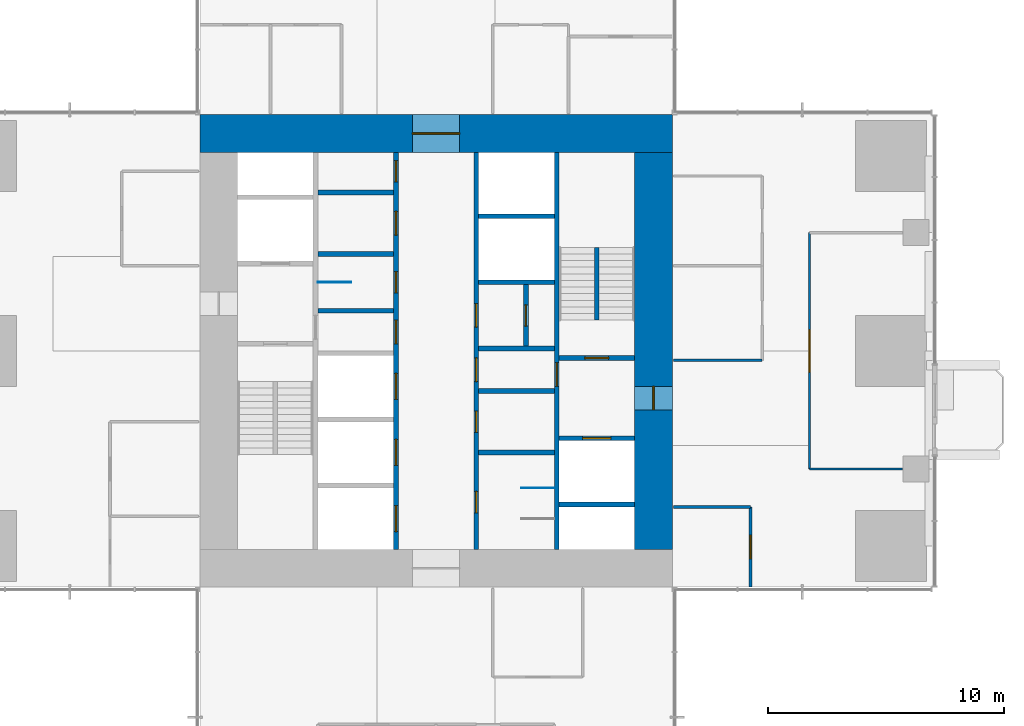
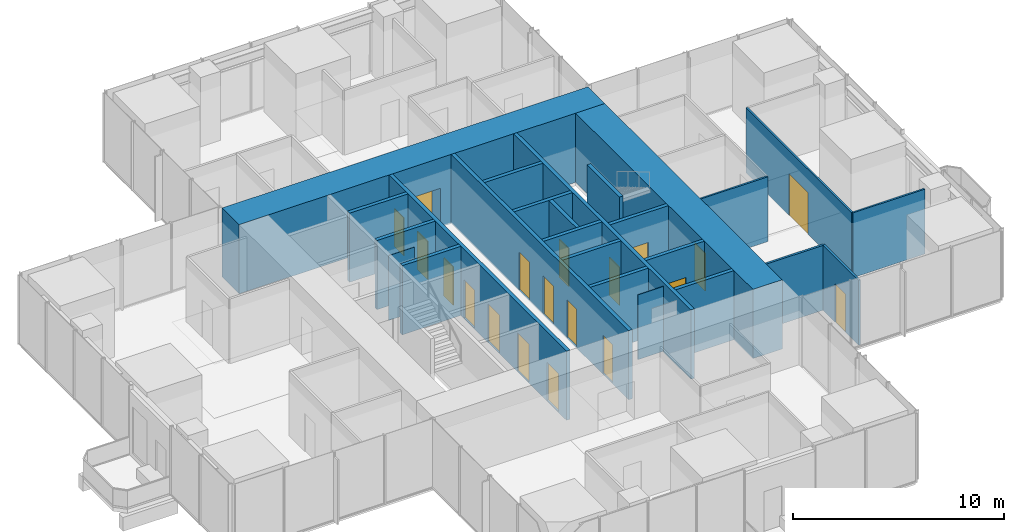
# One storey, part 9 of 13: 25 walls, 19 doors, 19 openings.
"""IFC4 building model written with IfcOpenShell, lengths in metres."""

from ifc_helpers import new_model, si_unit, direction, frame, frame_2d, origin, place, context, subcontext, project, spatial, rectangle, extrude, material, layer, layer_set, type_object, element, fill, save


model = new_model("IFC4")

# Units and contexts
model_context = context("Model", 3, precision=1e-05, world=origin(), true_north=direction((0.0, 1.0)))
body_context = subcontext(model_context, "Body", "Model", "MODEL_VIEW")
ifc_project = project(units=[si_unit("LENGTHUNIT", "METRE"), si_unit("AREAUNIT", "SQUARE_METRE"), si_unit("VOLUMEUNIT", "CUBIC_METRE"), si_unit("PLANEANGLEUNIT", "RADIAN"), si_unit("MASSUNIT", "GRAM", prefix="KILO")], contexts=[model_context])

# Site, building, storey
site_placement = place(None, origin())
site = spatial("IfcSite", under=ifc_project, at=site_placement, CompositionType="ELEMENT")
building_placement = place(site_placement, origin())
building = spatial("IfcBuilding", under=site, at=building_placement, Name="Svetlomir Tower", CompositionType="ELEMENT")
storey_placement = place(building_placement, frame((0.0, 0.0, 152.5)))
storey = spatial("IfcBuildingStorey", under=building, at=storey_placement, Name="L36", CompositionType="ELEMENT", Elevation=152.5)

# Wall, openings, doors
ifc_material_1 = material(Name="Concrete C60/75", Category="concrete")
ifc_layer_1 = layer(ifc_material_1, 0.199951171875)
ifc_layer_set_1 = layer_set([ifc_layer_1], Name="Concrete C60/75")
wall_type_1 = type_object("IfcWallType", Name="CORE INNER WALL 200", PredefinedType="SHEAR", material=ifc_layer_set_1)
wall_1_placement = place(storey_placement, frame((19.300048828125, 12.60009765625, -0.050048828125), z_axis=(0.0, 0.0, 1.0), x_axis=(0.0, 1.0, 0.0)))
wall_1 = element("IfcWall", 1, at=wall_1_placement, inside=storey, type_object=wall_type_1, Name="Core inner wall 19.3 L36", PredefinedType="SHEAR", context=body_context, shape_type="SweptSolid", body=[
    extrude(rectangle(XDim=16.7998046875, YDim=0.199951171875, at=frame_2d((8.39990234375, 0.0))), origin(), (0.0, 0.0, 1.0), 4.0),
])
opening_1_placement = place(wall_1_placement, frame((8.699951171875, 0.0, 0.050048828125)))
opening_1 = element("IfcOpeningElement", 2, at=opening_1_placement, cuts=wall_1, Name="Opening DC", PredefinedType="OPENING", context=body_context, shape_type="SweptSolid", body=[
    extrude(rectangle(XDim=1.0, YDim=2.199951171875, at=frame_2d((0.5, 1.10009765625))), frame((0.0, 0.10986328125, 0.0), z_axis=(0.0, -1.0, 0.0), x_axis=(1.0, 0.0, 0.0)), (0.0, 0.0, 1.0), 0.219970703125),
])
opening_2_placement = place(wall_1_placement, frame((10.85009765625, 0.0, 0.050048828125)))
opening_2 = element("IfcOpeningElement", 3, at=opening_2_placement, cuts=wall_1, Name="Opening DW", PredefinedType="OPENING", context=body_context, shape_type="SweptSolid", body=[
    extrude(rectangle(XDim=0.89990234375, YDim=2.199951171875, at=frame_2d((0.449951171875, 1.10009765625))), frame((0.0, 0.10986328125, 0.0), z_axis=(0.0, -1.0, 0.0), x_axis=(1.0, 0.0, 0.0)), (0.0, 0.0, 1.0), 0.219970703125),
])
opening_3_placement = place(wall_1_placement, frame((13.300048828125, 0.0, 0.050048828125)))
opening_3 = element("IfcOpeningElement", 4, at=opening_3_placement, cuts=wall_1, Name="Opening DC", PredefinedType="OPENING", context=body_context, shape_type="SweptSolid", body=[
    extrude(rectangle(XDim=1.0, YDim=2.199951171875, at=frame_2d((0.5, 1.10009765625))), frame((0.0, 0.10986328125, 0.0), z_axis=(0.0, -1.0, 0.0), x_axis=(1.0, 0.0, 0.0)), (0.0, 0.0, 1.0), 0.219970703125),
])
opening_4_placement = place(wall_1_placement, frame((15.550048828125, 0.0, 0.050048828125)))
opening_4 = element("IfcOpeningElement", 5, at=opening_4_placement, cuts=wall_1, Name="Opening DW", PredefinedType="OPENING", context=body_context, shape_type="SweptSolid", body=[
    extrude(rectangle(XDim=0.89990234375, YDim=2.199951171875, at=frame_2d((0.449951171875, 1.10009765625))), frame((0.0, 0.10986328125, 0.0), z_axis=(0.0, -1.0, 0.0), x_axis=(1.0, 0.0, 0.0)), (0.0, 0.0, 1.0), 0.219970703125),
])
opening_5_placement = place(wall_1_placement, frame((0.75, 0.0, 0.050048828125)))
opening_5 = element("IfcOpeningElement", 6, at=opening_5_placement, cuts=wall_1, Name="Opening LD", PredefinedType="OPENING", context=body_context, shape_type="SweptSolid", body=[
    extrude(rectangle(XDim=1.10009765625, YDim=2.199951171875, at=frame_2d((0.550048828125, 1.10009765625))), frame((0.0, 0.10986328125, 0.0), z_axis=(0.0, -1.0, 0.0), x_axis=(1.0, 0.0, 0.0)), (0.0, 0.0, 1.0), 0.219970703125),
])
opening_6_placement = place(wall_1_placement, frame((3.550048828125, 0.0, 0.050048828125)))
opening_6 = element("IfcOpeningElement", 7, at=opening_6_placement, cuts=wall_1, Name="Opening LD", PredefinedType="OPENING", context=body_context, shape_type="SweptSolid", body=[
    extrude(rectangle(XDim=1.10009765625, YDim=2.199951171875, at=frame_2d((0.550048828125, 1.10009765625))), frame((0.0, 0.10986328125, 0.0), z_axis=(0.0, -1.0, 0.0), x_axis=(1.0, 0.0, 0.0)), (0.0, 0.0, 1.0), 0.219970703125),
])
opening_7_placement = place(wall_1_placement, frame((6.35009765625, 0.0, 0.050048828125)))
opening_7 = element("IfcOpeningElement", 8, at=opening_7_placement, cuts=wall_1, Name="Opening LD", PredefinedType="OPENING", context=body_context, shape_type="SweptSolid", body=[
    extrude(rectangle(XDim=1.10009765625, YDim=2.199951171875, at=frame_2d((0.550048828125, 1.10009765625))), frame((0.0, 0.10986328125, 0.0), z_axis=(0.0, -1.0, 0.0), x_axis=(1.0, 0.0, 0.0)), (0.0, 0.0, 1.0), 0.219970703125),
])
ifc_material_2 = material(Name="Timber fire door", Category="wood")
door_type_1 = type_object("IfcDoorType", Name="DOOR DC 1000x2200", OperationType="SINGLE_SWING_LEFT", PredefinedType="DOOR", material=ifc_material_2)
door_1_placement = place(opening_1_placement, origin())
door_1 = element("IfcDoor", 9, at=door_1_placement, inside=storey, type_object=door_type_1, Name="Core corridor west lobby door L36", OperationType="SINGLE_SWING_LEFT", OverallHeight=2.199951171875, OverallWidth=1.0, PredefinedType="DOOR", context=body_context, shape_type="SweptSolid", body=[
    extrude(rectangle(XDim=1.0, YDim=2.199951171875, at=frame_2d((0.5, 1.10009765625))), frame((0.0, 0.02490234375, 0.0), z_axis=(0.0, -1.0, 0.0), x_axis=(1.0, 0.0, 0.0)), (0.0, 0.0, 1.0), 0.050048828125),
])
fill(opening_1, door_1)
door_2_placement = place(opening_3_placement, origin())
door_2 = element("IfcDoor", 10, at=door_2_placement, inside=storey, type_object=door_type_1, Name="Accessible WC door L36", OperationType="SINGLE_SWING_RIGHT", OverallHeight=2.199951171875, OverallWidth=1.0, PredefinedType="DOOR", context=body_context, shape_type="SweptSolid", body=[
    extrude(rectangle(XDim=1.0, YDim=2.199951171875, at=frame_2d((0.5, 1.10009765625))), frame((0.0, 0.02490234375, 0.0), z_axis=(0.0, -1.0, 0.0), x_axis=(1.0, 0.0, 0.0)), (0.0, 0.0, 1.0), 0.050048828125),
])
fill(opening_3, door_2)
ifc_material_3 = material(Name="Timber fire door", Category="wood")
door_type_2 = type_object("IfcDoorType", Name="DOOR DW 900x2200", OperationType="SINGLE_SWING_LEFT", PredefinedType="DOOR", material=ifc_material_3)
door_3_placement = place(opening_2_placement, origin())
door_3 = element("IfcDoor", 11, at=door_3_placement, inside=storey, type_object=door_type_2, Name="Female WC door L36", OperationType="SINGLE_SWING_LEFT", OverallHeight=2.199951171875, OverallWidth=0.89990234375, PredefinedType="DOOR", context=body_context, shape_type="SweptSolid", body=[
    extrude(rectangle(XDim=0.89990234375, YDim=2.199951171875, at=frame_2d((0.449951171875, 1.10009765625))), frame((0.0, 0.02490234375, 0.0), z_axis=(0.0, -1.0, 0.0), x_axis=(1.0, 0.0, 0.0)), (0.0, 0.0, 1.0), 0.050048828125),
])
fill(opening_2, door_3)
door_4_placement = place(opening_4_placement, origin())
door_4 = element("IfcDoor", 12, at=door_4_placement, inside=storey, type_object=door_type_2, Name="Cleaner's store door L36", OperationType="SINGLE_SWING_LEFT", OverallHeight=2.199951171875, OverallWidth=0.89990234375, PredefinedType="DOOR", context=body_context, shape_type="SweptSolid", body=[
    extrude(rectangle(XDim=0.89990234375, YDim=2.199951171875, at=frame_2d((0.449951171875, 1.10009765625))), frame((0.0, 0.02490234375, 0.0), z_axis=(0.0, -1.0, 0.0), x_axis=(1.0, 0.0, 0.0)), (0.0, 0.0, 1.0), 0.050048828125),
])
fill(opening_4, door_4)
ifc_material_4 = material(Name="Stainless steel landing door", Category="steel")
door_type_3 = type_object("IfcDoorType", Name="LIFT LANDING DOOR LD 1100x2200", OperationType="DOUBLE_DOOR_SLIDING", PredefinedType="DOOR", material=ifc_material_4)
door_5_placement = place(opening_5_placement, origin())
door_5 = element("IfcDoor", 13, at=door_5_placement, inside=storey, type_object=door_type_3, Name="Landing door lift LB1 L36", OperationType="DOUBLE_DOOR_SLIDING", OverallHeight=2.199951171875, OverallWidth=1.10009765625, PredefinedType="DOOR", context=body_context, shape_type="SweptSolid", body=[
    extrude(rectangle(XDim=1.10009765625, YDim=2.199951171875, at=frame_2d((0.550048828125, 1.10009765625))), frame((0.0, 0.02490234375, 0.0), z_axis=(0.0, -1.0, 0.0), x_axis=(1.0, 0.0, 0.0)), (0.0, 0.0, 1.0), 0.050048828125),
])
fill(opening_5, door_5)
door_6_placement = place(opening_6_placement, origin())
door_6 = element("IfcDoor", 14, at=door_6_placement, inside=storey, type_object=door_type_3, Name="Landing door lift LB2 L36", OperationType="DOUBLE_DOOR_SLIDING", OverallHeight=2.199951171875, OverallWidth=1.10009765625, PredefinedType="DOOR", context=body_context, shape_type="SweptSolid", body=[
    extrude(rectangle(XDim=1.10009765625, YDim=2.199951171875, at=frame_2d((0.550048828125, 1.10009765625))), frame((0.0, 0.02490234375, 0.0), z_axis=(0.0, -1.0, 0.0), x_axis=(1.0, 0.0, 0.0)), (0.0, 0.0, 1.0), 0.050048828125),
])
fill(opening_6, door_6)
door_7_placement = place(opening_7_placement, origin())
door_7 = element("IfcDoor", 15, at=door_7_placement, inside=storey, type_object=door_type_3, Name="Landing door lift LB3 L36", OperationType="DOUBLE_DOOR_SLIDING", OverallHeight=2.199951171875, OverallWidth=1.10009765625, PredefinedType="DOOR", context=body_context, shape_type="SweptSolid", body=[
    extrude(rectangle(XDim=1.10009765625, YDim=2.199951171875, at=frame_2d((0.550048828125, 1.10009765625))), frame((0.0, 0.02490234375, 0.0), z_axis=(0.0, -1.0, 0.0), x_axis=(1.0, 0.0, 0.0)), (0.0, 0.0, 1.0), 0.050048828125),
])
fill(opening_7, door_7)

wall_2_placement = place(storey_placement, frame((22.699951171875, 12.60009765625, -0.050048828125), z_axis=(0.0, 0.0, 1.0), x_axis=(0.0, 1.0, 0.0)))
wall_2 = element("IfcWall", 16, at=wall_2_placement, inside=storey, type_object=wall_type_1, Name="Core inner wall 22.7 L36", PredefinedType="SHEAR", context=body_context, shape_type="SweptSolid", body=[
    extrude(rectangle(XDim=16.7998046875, YDim=0.199951171875, at=frame_2d((8.39990234375, 0.0))), origin(), (0.0, 0.0, 1.0), 4.0),
])
opening_8_placement = place(wall_2_placement, frame((7.10009765625, 0.0, 0.050048828125)))
opening_8 = element("IfcOpeningElement", 17, at=opening_8_placement, cuts=wall_2, Name="Opening DC", PredefinedType="OPENING", context=body_context, shape_type="SweptSolid", body=[
    extrude(rectangle(XDim=1.0, YDim=2.199951171875, at=frame_2d((0.5, 1.10009765625))), frame((0.0, 0.10986328125, 0.0), z_axis=(0.0, -1.0, 0.0), x_axis=(1.0, 0.0, 0.0)), (0.0, 0.0, 1.0), 0.219970703125),
])
opening_9_placement = place(wall_2_placement, frame((1.550048828125, 0.0, 0.050048828125)))
opening_9 = element("IfcOpeningElement", 18, at=opening_9_placement, cuts=wall_2, Name="Opening DW", PredefinedType="OPENING", context=body_context, shape_type="SweptSolid", body=[
    extrude(rectangle(XDim=0.89990234375, YDim=2.199951171875, at=frame_2d((0.449951171875, 1.10009765625))), frame((0.0, 0.10986328125, 0.0), z_axis=(0.0, -1.0, 0.0), x_axis=(1.0, 0.0, 0.0)), (0.0, 0.0, 1.0), 0.219970703125),
])
opening_10_placement = place(wall_2_placement, frame((4.949951171875, 0.0, 0.050048828125)))
opening_10 = element("IfcOpeningElement", 19, at=opening_10_placement, cuts=wall_2, Name="Opening DW", PredefinedType="OPENING", context=body_context, shape_type="SweptSolid", body=[
    extrude(rectangle(XDim=0.89990234375, YDim=2.199951171875, at=frame_2d((0.449951171875, 1.10009765625))), frame((0.0, 0.10986328125, 0.0), z_axis=(0.0, -1.0, 0.0), x_axis=(1.0, 0.0, 0.0)), (0.0, 0.0, 1.0), 0.219970703125),
])
opening_11_placement = place(wall_2_placement, frame((9.39990234375, 0.0, 0.050048828125)))
opening_11 = element("IfcOpeningElement", 20, at=opening_11_placement, cuts=wall_2, Name="Opening DC", PredefinedType="OPENING", context=body_context, shape_type="SweptSolid", body=[
    extrude(rectangle(XDim=1.0, YDim=2.199951171875, at=frame_2d((0.5, 1.10009765625))), frame((0.0, 0.10986328125, 0.0), z_axis=(0.0, -1.0, 0.0), x_axis=(1.0, 0.0, 0.0)), (0.0, 0.0, 1.0), 0.219970703125),
])
door_8_placement = place(opening_8_placement, origin())
door_8 = element("IfcDoor", 21, at=door_8_placement, inside=storey, type_object=door_type_1, Name="Core corridor east lobby door L36", OperationType="SINGLE_SWING_RIGHT", OverallHeight=2.199951171875, OverallWidth=1.0, PredefinedType="DOOR", context=body_context, shape_type="SweptSolid", body=[
    extrude(rectangle(XDim=1.0, YDim=2.199951171875, at=frame_2d((0.5, 1.10009765625))), frame((0.0, 0.02490234375, 0.0), z_axis=(0.0, -1.0, 0.0), x_axis=(1.0, 0.0, 0.0)), (0.0, 0.0, 1.0), 0.050048828125),
])
fill(opening_8, door_8)
door_9_placement = place(opening_11_placement, origin())
door_9 = element("IfcDoor", 22, at=door_9_placement, inside=storey, type_object=door_type_1, Name="Converted shaft BANK-E1 room door L36", OperationType="SINGLE_SWING_RIGHT", OverallHeight=2.199951171875, OverallWidth=1.0, PredefinedType="DOOR", context=body_context, shape_type="SweptSolid", body=[
    extrude(rectangle(XDim=1.0, YDim=2.199951171875, at=frame_2d((0.5, 1.10009765625))), frame((0.0, 0.02490234375, 0.0), z_axis=(0.0, -1.0, 0.0), x_axis=(1.0, 0.0, 0.0)), (0.0, 0.0, 1.0), 0.050048828125),
])
fill(opening_11, door_9)
door_10_placement = place(opening_9_placement, origin())
door_10 = element("IfcDoor", 23, at=door_10_placement, inside=storey, type_object=door_type_2, Name="Male WC door L36", OperationType="SINGLE_SWING_RIGHT", OverallHeight=2.199951171875, OverallWidth=0.89990234375, PredefinedType="DOOR", context=body_context, shape_type="SweptSolid", body=[
    extrude(rectangle(XDim=0.89990234375, YDim=2.199951171875, at=frame_2d((0.449951171875, 1.10009765625))), frame((0.0, 0.02490234375, 0.0), z_axis=(0.0, -1.0, 0.0), x_axis=(1.0, 0.0, 0.0)), (0.0, 0.0, 1.0), 0.050048828125),
])
fill(opening_9, door_10)
door_11_placement = place(opening_10_placement, origin())
door_11 = element("IfcDoor", 24, at=door_11_placement, inside=storey, type_object=door_type_2, Name="Comms room door L36", OperationType="SINGLE_SWING_LEFT", OverallHeight=2.199951171875, OverallWidth=0.89990234375, PredefinedType="DOOR", context=body_context, shape_type="SweptSolid", body=[
    extrude(rectangle(XDim=0.89990234375, YDim=2.199951171875, at=frame_2d((0.449951171875, 1.10009765625))), frame((0.0, 0.02490234375, 0.0), z_axis=(0.0, -1.0, 0.0), x_axis=(1.0, 0.0, 0.0)), (0.0, 0.0, 1.0), 0.050048828125),
])
fill(opening_10, door_11)

# Wall, opening, door
wall_3_placement = place(storey_placement, frame((26.10009765625, 12.60009765625, -0.050048828125), z_axis=(0.0, 0.0, 1.0), x_axis=(0.0, 1.0, 0.0)))
wall_3 = element("IfcWall", 25, at=wall_3_placement, inside=storey, type_object=wall_type_1, Name="Core inner wall 26.1 L36", PredefinedType="SHEAR", context=body_context, shape_type="SweptSolid", body=[
    extrude(rectangle(XDim=16.7998046875, YDim=0.199951171875, at=frame_2d((8.39990234375, 0.0))), origin(), (0.0, 0.0, 1.0), 4.0),
])
opening_12_placement = place(wall_3_placement, frame((6.89990234375, 0.0, 0.050048828125)))
opening_12 = element("IfcOpeningElement", 26, at=opening_12_placement, cuts=wall_3, Name="Opening DF", PredefinedType="OPENING", context=body_context, shape_type="SweptSolid", body=[
    extrude(rectangle(XDim=1.0, YDim=2.199951171875, at=frame_2d((0.5, 1.10009765625))), frame((0.0, 0.10986328125, 0.0), z_axis=(0.0, -1.0, 0.0), x_axis=(1.0, 0.0, 0.0)), (0.0, 0.0, 1.0), 0.219970703125),
])
ifc_material_5 = material(Name="Steel fire door", Category="steel")
door_type_4 = type_object("IfcDoorType", Name="DOOR DF 1000x2200", OperationType="SINGLE_SWING_LEFT", PredefinedType="DOOR", material=ifc_material_5)
door_12_placement = place(opening_12_placement, origin())
door_12 = element("IfcDoor", 27, at=door_12_placement, inside=storey, type_object=door_type_4, Name="Core corridor east door L36", OperationType="SINGLE_SWING_LEFT", OverallHeight=2.199951171875, OverallWidth=1.0, PredefinedType="DOOR", context=body_context, shape_type="SweptSolid", body=[
    extrude(rectangle(XDim=1.0, YDim=2.199951171875, at=frame_2d((0.5, 1.10009765625))), frame((0.0, 0.02490234375, 0.0), z_axis=(0.0, -1.0, 0.0), x_axis=(1.0, 0.0, 0.0)), (0.0, 0.0, 1.0), 0.050048828125),
])
fill(opening_12, door_12)

# Walls
for number, where, z_axis, x_axis, name in (
    (28, (16.0, 22.699951171875, -0.050048828125), (0.0, 0.0, 1.0), (1.0, 0.0, 0.0), "Core inner wall 16-19.2/22.7 L36"),
    (29, (16.0, 25.10009765625, -0.050048828125), (0.0, 0.0, 1.0), (1.0, 0.0, 0.0), "Core inner wall 16-19.2/25.1 L36"),
    (30, (16.0, 27.699951171875, -0.050048828125), (0.0, 0.0, 1.0), (1.0, 0.0, 0.0), "Core inner wall 16-19.2/27.7 L36"),
    (31, (22.800048828125, 16.699951171875, -0.050048828125), (0.0, 0.0, 1.0), (1.0, 0.0, 0.0), "Core inner wall 22.8-26/16.7 L36"),
    (32, (22.800048828125, 19.300048828125, -0.050048828125), (0.0, 0.0, 1.0), (1.0, 0.0, 0.0), "Core inner wall 22.8-26/19.3 L36"),
    (33, (22.800048828125, 21.10009765625, -0.050048828125), (0.0, 0.0, 1.0), (1.0, 0.0, 0.0), "Core inner wall 22.8-26/21.1 L36"),
    (34, (22.800048828125, 23.89990234375, -0.050048828125), (0.0, 0.0, 1.0), (1.0, 0.0, 0.0), "Core inner wall 22.8-26/23.9 L36"),
    (35, (22.800048828125, 26.699951171875, -0.050048828125), (0.0, 0.0, 1.0), (1.0, 0.0, 0.0), "Core inner wall 22.8-26/26.7 L36"),
    (36, (26.199951171875, 14.5, -0.050048828125), (0.0, 0.0, 1.0), (1.0, 0.0, 0.0), "Core inner wall 26.2-29.4/14.5 L36"),
):
    element("IfcWall", number, at=place(storey_placement, frame(where, z_axis=z_axis, x_axis=x_axis)), inside=storey, type_object=wall_type_1, Name=name, PredefinedType="SHEAR", context=body_context, shape_type="SweptSolid", body=[
        extrude(rectangle(XDim=3.199951171875, YDim=0.199951171875, at=frame_2d((1.60009765625, 0.0))), origin(), (0.0, 0.0, 1.0), 4.0),
    ])

# Wall, opening, door
wall_4_placement = place(storey_placement, frame((26.199951171875, 17.300048828125, -0.050048828125), z_axis=(0.0, 0.0, 1.0), x_axis=(1.0, 0.0, 0.0)))
wall_4 = element("IfcWall", 37, at=wall_4_placement, inside=storey, type_object=wall_type_1, Name="Core inner wall 26.2-29.4/17.3 L36", PredefinedType="SHEAR", context=body_context, shape_type="SweptSolid", body=[
    extrude(rectangle(XDim=3.199951171875, YDim=0.199951171875, at=frame_2d((1.60009765625, 0.0))), origin(), (0.0, 0.0, 1.0), 4.0),
])
opening_13_placement = place(wall_4_placement, frame((1.0, 0.0, 0.050048828125)))
opening_13 = element("IfcOpeningElement", 38, at=opening_13_placement, cuts=wall_4, Name="Opening LD3", PredefinedType="OPENING", context=body_context, shape_type="SweptSolid", body=[
    extrude(rectangle(XDim=1.199951171875, YDim=2.199951171875, at=frame_2d((0.60009765625, 1.10009765625))), frame((0.0, 0.10986328125, 0.0), z_axis=(0.0, -1.0, 0.0), x_axis=(1.0, 0.0, 0.0)), (0.0, 0.0, 1.0), 0.219970703125),
])
ifc_material_6 = material(Name="Stainless steel fire-rated landing door", Category="steel")
door_type_5 = type_object("IfcDoorType", Name="FIREFIGHTING LIFT LANDING DOOR LD3 1200x2200", OperationType="DOUBLE_DOOR_SLIDING", PredefinedType="DOOR", material=ifc_material_6)
door_13_placement = place(opening_13_placement, origin())
door_13 = element("IfcDoor", 39, at=door_13_placement, inside=storey, type_object=door_type_5, Name="Landing door lift FL2 L36", OperationType="DOUBLE_DOOR_SLIDING", OverallHeight=2.199951171875, OverallWidth=1.199951171875, PredefinedType="DOOR", context=body_context, shape_type="SweptSolid", body=[
    extrude(rectangle(XDim=1.199951171875, YDim=2.199951171875, at=frame_2d((0.60009765625, 1.10009765625))), frame((0.0, 0.02490234375, 0.0), z_axis=(0.0, -1.0, 0.0), x_axis=(1.0, 0.0, 0.0)), (0.0, 0.0, 1.0), 0.050048828125),
])
fill(opening_13, door_13)

wall_5_placement = place(storey_placement, frame((26.199951171875, 20.699951171875, -0.050048828125), z_axis=(0.0, 0.0, 1.0), x_axis=(1.0, 0.0, 0.0)))
wall_5 = element("IfcWall", 40, at=wall_5_placement, inside=storey, type_object=wall_type_1, Name="Core inner wall 26.2-29.4/20.7 L36", PredefinedType="SHEAR", context=body_context, shape_type="SweptSolid", body=[
    extrude(rectangle(XDim=3.199951171875, YDim=0.199951171875, at=frame_2d((1.60009765625, 0.0))), origin(), (0.0, 0.0, 1.0), 4.0),
])
opening_14_placement = place(wall_5_placement, frame((1.10009765625, 0.0, 0.050048828125)))
opening_14 = element("IfcOpeningElement", 41, at=opening_14_placement, cuts=wall_5, Name="Opening DF", PredefinedType="OPENING", context=body_context, shape_type="SweptSolid", body=[
    extrude(rectangle(XDim=1.0, YDim=2.199951171875, at=frame_2d((0.5, 1.10009765625))), frame((0.0, 0.10986328125, 0.0), z_axis=(0.0, -1.0, 0.0), x_axis=(1.0, 0.0, 0.0)), (0.0, 0.0, 1.0), 0.219970703125),
])
door_14_placement = place(opening_14_placement, origin())
door_14 = element("IfcDoor", 42, at=door_14_placement, inside=storey, type_object=door_type_4, Name="Stair S2 door L36", OperationType="SINGLE_SWING_RIGHT", OverallHeight=2.199951171875, OverallWidth=1.0, PredefinedType="DOOR", context=body_context, shape_type="SweptSolid", body=[
    extrude(rectangle(XDim=1.0, YDim=2.199951171875, at=frame_2d((0.5, 1.10009765625))), frame((0.0, 0.02490234375, 0.0), z_axis=(0.0, -1.0, 0.0), x_axis=(1.0, 0.0, 0.0)), (0.0, 0.0, 1.0), 0.050048828125),
])
fill(opening_14, door_14)

wall_6_placement = place(storey_placement, frame((24.800048828125, 21.199951171875, -0.050048828125), z_axis=(0.0, 0.0, 1.0), x_axis=(0.0, 1.0, 0.0)))
wall_6 = element("IfcWall", 43, at=wall_6_placement, inside=storey, type_object=wall_type_1, Name="Core inner wall 24.8/21.2-23.8 L36", PredefinedType="SHEAR", context=body_context, shape_type="SweptSolid", body=[
    extrude(rectangle(XDim=2.60009765625, YDim=0.199951171875, at=frame_2d((1.300048828125, 0.0))), origin(), (0.0, 0.0, 1.0), 4.0),
])
opening_15_placement = place(wall_6_placement, frame((0.85009765625, 0.0, 0.050048828125)))
opening_15 = element("IfcOpeningElement", 44, at=opening_15_placement, cuts=wall_6, Name="Opening DW", PredefinedType="OPENING", context=body_context, shape_type="SweptSolid", body=[
    extrude(rectangle(XDim=0.89990234375, YDim=2.199951171875, at=frame_2d((0.449951171875, 1.10009765625))), frame((0.0, 0.10986328125, 0.0), z_axis=(0.0, -1.0, 0.0), x_axis=(1.0, 0.0, 0.0)), (0.0, 0.0, 1.0), 0.219970703125),
])
door_15_placement = place(opening_15_placement, origin())
door_15 = element("IfcDoor", 45, at=door_15_placement, inside=storey, type_object=door_type_2, Name="Converted shaft BANK-E1 back room door L36", OperationType="SINGLE_SWING_LEFT", OverallHeight=2.199951171875, OverallWidth=0.89990234375, PredefinedType="DOOR", context=body_context, shape_type="SweptSolid", body=[
    extrude(rectangle(XDim=0.89990234375, YDim=2.199951171875, at=frame_2d((0.449951171875, 1.10009765625))), frame((0.0, 0.02490234375, 0.0), z_axis=(0.0, -1.0, 0.0), x_axis=(1.0, 0.0, 0.0)), (0.0, 0.0, 1.0), 0.050048828125),
])
fill(opening_15, door_15)

ifc_material_7 = material(Name="Concrete C60/75", Category="concrete")
ifc_layer_2 = layer(ifc_material_7, 1.60009765625)
ifc_layer_set_2 = layer_set([ifc_layer_2], Name="Concrete C60/75")
wall_type_2 = type_object("IfcWallType", Name="CORE WALL 1600", PredefinedType="SHEAR", material=ifc_layer_set_2)
wall_7_placement = place(storey_placement, frame((11.0, 30.199951171875, -0.050048828125), z_axis=(0.0, 0.0, 1.0), x_axis=(1.0, 0.0, 0.0)))
wall_7 = element("IfcWall", 46, at=wall_7_placement, inside=storey, type_object=wall_type_2, Name="Core wall north L36", PredefinedType="SHEAR", context=body_context, shape_type="SweptSolid", body=[
    extrude(rectangle(XDim=20.0, YDim=1.60009765625, at=frame_2d((10.0, 0.0))), origin(), (0.0, 0.0, 1.0), 4.0),
])
opening_16_placement = place(wall_7_placement, frame((9.0, 0.0, 0.050048828125)))
opening_16 = element("IfcOpeningElement", 47, at=opening_16_placement, cuts=wall_7, Name="Opening DL", PredefinedType="OPENING", context=body_context, shape_type="SweptSolid", body=[
    extrude(rectangle(XDim=2.0, YDim=2.199951171875, at=frame_2d((1.0, 1.10009765625))), frame((0.0, 0.81005859375, 0.0), z_axis=(0.0, -1.0, 0.0), x_axis=(1.0, 0.0, 0.0)), (0.0, 0.0, 1.0), 1.6201171875),
])
ifc_material_8 = material(Name="Steel fire door", Category="steel")
door_type_6 = type_object("IfcDoorType", Name="DOOR DL 2000x2200", OperationType="DOUBLE_DOOR_SINGLE_SWING", PredefinedType="DOOR", material=ifc_material_8)
door_16_placement = place(opening_16_placement, origin())
door_16 = element("IfcDoor", 48, at=door_16_placement, inside=storey, type_object=door_type_6, Name="Lift lobby north door L36", OperationType="DOUBLE_DOOR_SINGLE_SWING", OverallHeight=2.199951171875, OverallWidth=2.0, PredefinedType="DOOR", context=body_context, shape_type="SweptSolid", body=[
    extrude(rectangle(XDim=2.0, YDim=2.199951171875, at=frame_2d((1.0, 1.10009765625))), frame((0.0, 0.02490234375, 0.0), z_axis=(0.0, -1.0, 0.0), x_axis=(1.0, 0.0, 0.0)), (0.0, 0.0, 1.0), 0.050048828125),
])
fill(opening_16, door_16)

wall_8_placement = place(storey_placement, frame((30.199951171875, 12.60009765625, -0.050048828125), z_axis=(0.0, 0.0, 1.0), x_axis=(0.0, 1.0, 0.0)))
wall_8 = element("IfcWall", 49, at=wall_8_placement, inside=storey, type_object=wall_type_2, Name="Core wall east L36", PredefinedType="SHEAR", context=body_context, shape_type="SweptSolid", body=[
    extrude(rectangle(XDim=16.7998046875, YDim=1.60009765625, at=frame_2d((8.39990234375, 0.0))), origin(), (0.0, 0.0, 1.0), 4.0),
])
opening_17_placement = place(wall_8_placement, frame((5.89990234375, 0.0, 0.050048828125)))
opening_17 = element("IfcOpeningElement", 50, at=opening_17_placement, cuts=wall_8, Name="Opening DF", PredefinedType="OPENING", context=body_context, shape_type="SweptSolid", body=[
    extrude(rectangle(XDim=1.0, YDim=2.199951171875, at=frame_2d((0.5, 1.10009765625))), frame((0.0, 0.81005859375, 0.0), z_axis=(0.0, -1.0, 0.0), x_axis=(1.0, 0.0, 0.0)), (0.0, 0.0, 1.0), 1.6201171875),
])
door_17_placement = place(opening_17_placement, origin())
door_17 = element("IfcDoor", 51, at=door_17_placement, inside=storey, type_object=door_type_4, Name="Firefighting lobby east door L36", OperationType="SINGLE_SWING_RIGHT", OverallHeight=2.199951171875, OverallWidth=1.0, PredefinedType="DOOR", context=body_context, shape_type="SweptSolid", body=[
    extrude(rectangle(XDim=1.0, YDim=2.199951171875, at=frame_2d((0.5, 1.10009765625))), frame((0.0, 0.02490234375, 0.0), z_axis=(0.0, -1.0, 0.0), x_axis=(1.0, 0.0, 0.0)), (0.0, 0.0, 1.0), 0.050048828125),
])
fill(opening_17, door_17)

# Wall
ifc_material_9 = material(Name="Framed laminated glass partition", Category="glass")
ifc_layer_3 = layer(ifc_material_9, 0.10009765625)
ifc_layer_set_3 = layer_set([ifc_layer_3], Name="Framed laminated glass partition")
wall_type_3 = type_object("IfcWallType", Name="GLAZED PARTITION 100", PredefinedType="PARTITIONING", material=ifc_layer_set_3)
wall_9_placement = place(storey_placement, frame((31.050048828125, 20.60009765625, 0.0), z_axis=(0.0, 0.0, 1.0), x_axis=(1.0, 0.0, 0.0)))
element("IfcWall", 52, at=wall_9_placement, inside=storey, type_object=wall_type_3, Name="Glazed partition L36", PredefinedType="PARTITIONING", context=body_context, shape_type="SweptSolid", body=[
    extrude(rectangle(XDim=3.75, YDim=0.10009765625, at=frame_2d((1.875, 0.0))), origin(), (0.0, 0.0, 1.0), 3.75),
])

# Wall, opening, door
wall_10_placement = place(storey_placement, frame((36.800048828125, 16.0, 0.0), z_axis=(0.0, 0.0, 1.0), x_axis=(0.0, 1.0, 0.0)))
wall_10 = element("IfcWall", 53, at=wall_10_placement, inside=storey, type_object=wall_type_3, Name="Glazed partition L36", PredefinedType="PARTITIONING", context=body_context, shape_type="SweptSolid", body=[
    extrude(rectangle(XDim=10.0, YDim=0.10009765625, at=frame_2d((5.0, 0.0))), origin(), (0.0, 0.0, 1.0), 3.75),
])
opening_18_placement = place(wall_10_placement, frame((4.10009765625, 0.0, 0.0)))
opening_18 = element("IfcOpeningElement", 54, at=opening_18_placement, cuts=wall_10, Name="Opening DD", PredefinedType="OPENING", context=body_context, shape_type="SweptSolid", body=[
    extrude(rectangle(XDim=1.800048828125, YDim=2.39990234375, at=frame_2d((0.89990234375, 1.199951171875))), frame((0.0, 0.06005859375, 0.0), z_axis=(0.0, -1.0, 0.0), x_axis=(1.0, 0.0, 0.0)), (0.0, 0.0, 1.0), 0.1201171875),
])
ifc_material_10 = material(Name="Timber door", Category="wood")
door_type_7 = type_object("IfcDoorType", Name="DOOR DD 1800x2400", OperationType="DOUBLE_DOOR_SINGLE_SWING", PredefinedType="DOOR", material=ifc_material_10)
door_18_placement = place(opening_18_placement, origin())
door_18 = element("IfcDoor", 55, at=door_18_placement, inside=storey, type_object=door_type_7, Name="Press briefing room, 20 seats door L36", OperationType="DOUBLE_DOOR_SINGLE_SWING", OverallHeight=2.39990234375, OverallWidth=1.800048828125, PredefinedType="DOOR", context=body_context, shape_type="SweptSolid", body=[
    extrude(rectangle(XDim=1.800048828125, YDim=2.39990234375, at=frame_2d((0.89990234375, 1.199951171875))), frame((0.0, 0.02490234375, 0.0), z_axis=(0.0, -1.0, 0.0), x_axis=(1.0, 0.0, 0.0)), (0.0, 0.0, 1.0), 0.050048828125),
])
fill(opening_18, door_18)

# Walls
wall_11_placement = place(storey_placement, frame((36.800048828125, 16.0, 0.0), z_axis=(0.0, 0.0, 1.0), x_axis=(1.0, 0.0, 0.0)))
element("IfcWall", 56, at=wall_11_placement, inside=storey, type_object=wall_type_3, Name="Glazed partition L36", PredefinedType="PARTITIONING", context=body_context, shape_type="SweptSolid", body=[
    extrude(rectangle(XDim=3.93994140625, YDim=0.10009765625, at=frame_2d((1.969970703125, 0.0))), origin(), (0.0, 0.0, 1.0), 3.75),
])
ifc_material_11 = material(Name="Gypsum board on steel studs", Category="steel")
ifc_layer_4 = layer(ifc_material_11, 0.1201171875)
ifc_layer_set_4 = layer_set([ifc_layer_4], Name="Gypsum board on steel studs")
wall_type_4 = type_object("IfcWallType", Name="PARTITION 120", PredefinedType="PARTITIONING", material=ifc_layer_set_4)
wall_12_placement = place(storey_placement, frame((31.050048828125, 14.39990234375, 0.0), z_axis=(0.0, 0.0, 1.0), x_axis=(1.0, 0.0, 0.0)))
element("IfcWall", 57, at=wall_12_placement, inside=storey, type_object=wall_type_4, Name="Partition L36", PredefinedType="PARTITIONING", context=body_context, shape_type="SweptSolid", body=[
    extrude(rectangle(XDim=3.25, YDim=0.1201171875, at=frame_2d((1.625, 0.0))), origin(), (0.0, 0.0, 1.0), 3.75),
])

# Wall, opening, door
wall_13_placement = place(storey_placement, frame((34.300048828125, 11.0, 0.0), z_axis=(0.0, 0.0, 1.0), x_axis=(0.0, 1.0, 0.0)))
wall_13 = element("IfcWall", 58, at=wall_13_placement, inside=storey, type_object=wall_type_4, Name="Partition L36", PredefinedType="PARTITIONING", context=body_context, shape_type="SweptSolid", body=[
    extrude(rectangle(XDim=3.39990234375, YDim=0.1201171875, at=frame_2d((1.699951171875, 0.0))), origin(), (0.0, 0.0, 1.0), 3.75),
])
opening_19_placement = place(wall_13_placement, frame((1.199951171875, 0.0, 0.0)))
opening_19 = element("IfcOpeningElement", 59, at=opening_19_placement, cuts=wall_13, Name="Opening DR", PredefinedType="OPENING", context=body_context, shape_type="SweptSolid", body=[
    extrude(rectangle(XDim=1.0, YDim=2.199951171875, at=frame_2d((0.5, 1.10009765625))), frame((0.0, 0.070068359375, 0.0), z_axis=(0.0, -1.0, 0.0), x_axis=(1.0, 0.0, 0.0)), (0.0, 0.0, 1.0), 0.14013671875),
])
ifc_material_12 = material(Name="Timber door, glazed side light", Category="wood")
door_type_8 = type_object("IfcDoorType", Name="DOOR DR 1000x2200", OperationType="SINGLE_SWING_LEFT", PredefinedType="DOOR", material=ifc_material_12)
door_19_placement = place(opening_19_placement, origin())
door_19 = element("IfcDoor", 60, at=door_19_placement, inside=storey, type_object=door_type_8, Name="Archive and props store door L36", OperationType="SINGLE_SWING_RIGHT", OverallHeight=2.199951171875, OverallWidth=1.0, PredefinedType="DOOR", context=body_context, shape_type="SweptSolid", body=[
    extrude(rectangle(XDim=1.0, YDim=2.199951171875, at=frame_2d((0.5, 1.10009765625))), frame((0.0, 0.02490234375, 0.0), z_axis=(0.0, -1.0, 0.0), x_axis=(1.0, 0.0, 0.0)), (0.0, 0.0, 1.0), 0.050048828125),
])
fill(opening_19, door_19)

# Walls
ifc_material_13 = material(Name="Concrete C60/75", Category="concrete")
ifc_layer_5 = layer(ifc_material_13, 0.199951171875)
ifc_layer_set_5 = layer_set([ifc_layer_5], Name="Concrete C60/75")
wall_type_5 = type_object("IfcWallType", Name="STAIR SPINE WALL 200", PredefinedType="PARTITIONING", material=ifc_layer_set_5)
wall_14_placement = place(storey_placement, frame((27.800048828125, 22.300048828125, 0.0), z_axis=(0.0, 0.0, 1.0), x_axis=(0.0, 1.0, 0.0)))
element("IfcWall", 61, at=wall_14_placement, inside=storey, type_object=wall_type_5, Name="Stair S2 spine wall L36", PredefinedType="PARTITIONING", context=body_context, shape_type="SweptSolid", body=[
    extrude(rectangle(XDim=3.079833984375, YDim=0.199951171875, at=frame_2d((1.5400390625, 0.0))), origin(), (0.0, 0.0, 1.0), 4.0),
])
ifc_material_14 = material(Name="Compact laminate panel", Category="plastic")
ifc_layer_6 = layer(ifc_material_14, 0.030029296875)
ifc_layer_set_6 = layer_set([ifc_layer_6], Name="Compact laminate panel")
wall_type_6 = type_object("IfcWallType", Name="WC CUBICLE PARTITION 30", PredefinedType="PARTITIONING", material=ifc_layer_set_6)
for number, where, z_axis, x_axis, name in (
    (62, (24.60009765625, 15.199951171875, 0.0), (0.0, 0.0, 1.0), (1.0, 0.0, 0.0), "WC cubicle partition L36"),
    (63, (16.0, 23.89990234375, 0.0), (0.0, 0.0, 1.0), (1.0, 0.0, 0.0), "WC cubicle partition L36"),
):
    element("IfcWall", number, at=place(storey_placement, frame(where, z_axis=z_axis, x_axis=x_axis)), inside=storey, type_object=wall_type_6, Name=name, PredefinedType="PARTITIONING", context=body_context, shape_type="SweptSolid", body=[
        extrude(rectangle(XDim=1.39990234375, YDim=0.030029296875, at=frame_2d((0.699951171875, 0.0))), origin(), (0.0, 0.0, 1.0), 3.75),
    ])

save(model, "model.ifc")
